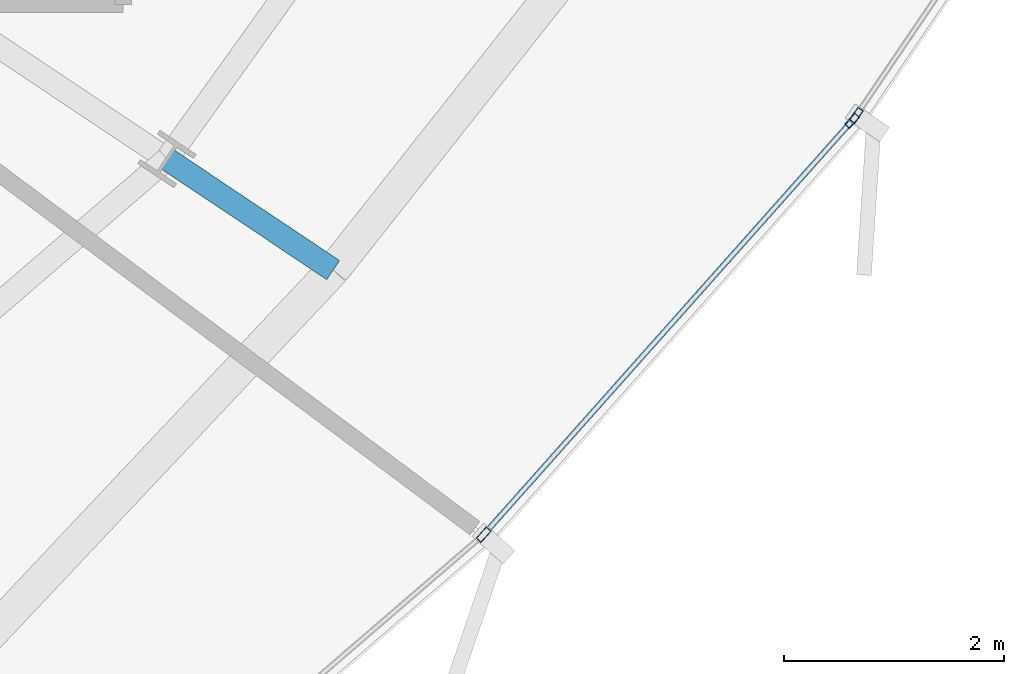
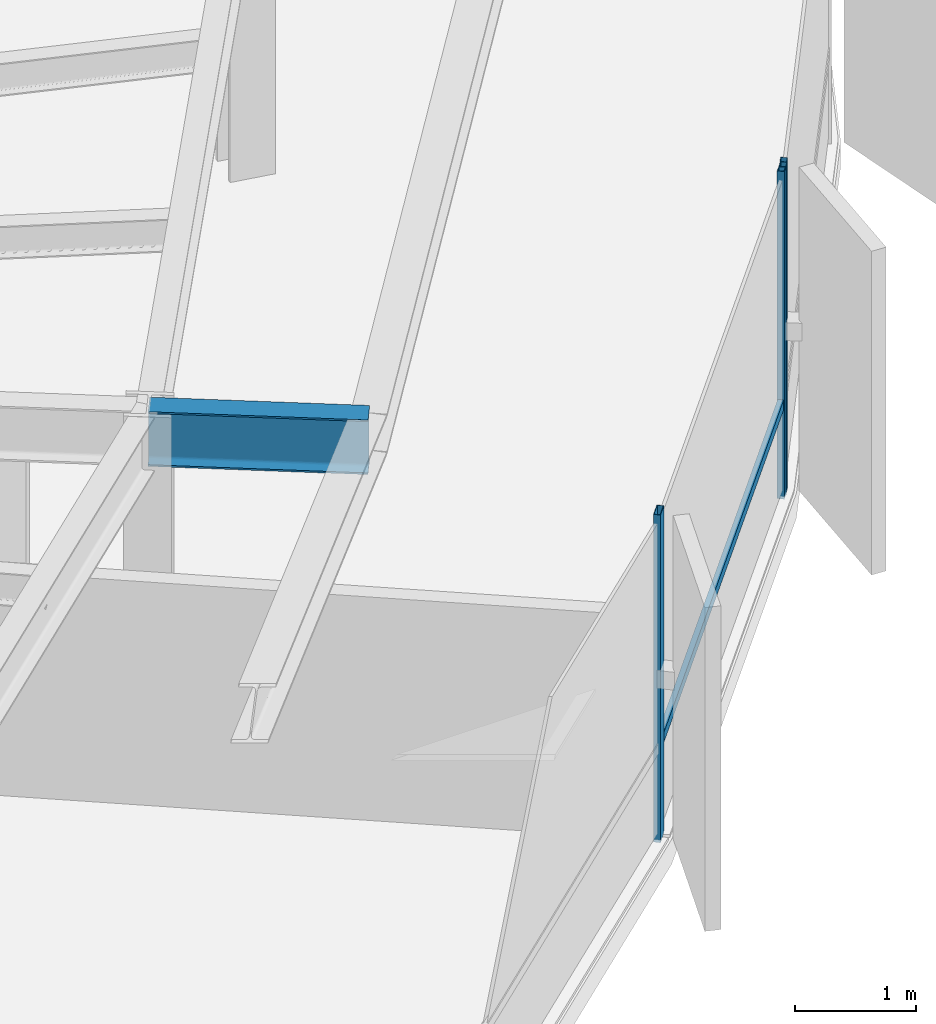
# One storey, part 14 of 36: 4 members, 1 beam, 2 elements without a shape of their own.
"""IFC4 building model written with IfcOpenShell, lengths in metres."""

import ifcopenshell
import ifcopenshell.guid

model = None  # the IFC model being written
_history = None  # IfcOwnerHistory: only IFC2X3 demands one
_inside = {}  # id of a spatial element -> (the spatial element, [elements in it])
_under = {}  # id of a project, library or spatial element -> (it, [spatial elements below it])
_declared = {}  # id of a project -> (the project, [libraries it declares])
_typed = {}  # id of a type object -> (the type object, [elements of that type])
_made_of = {}  # id of a material, layer set ... -> (it, [elements and type objects made of it])


def new_model(schema):
    """Start an empty IFC model of exactly this schema.

    Asked for "IFC4X3", IfcOpenShell would pick the latest addendum, in which some entities
    have other attributes; the version numbers below select the first issue.
    IFC2X3 requires an IfcOwnerHistory on every rooted entity: one is made here for all.
    """
    global model, _history
    if schema == "IFC4X3":
        model = ifcopenshell.file(schema_version=(4, 3, 0, 0))
    else:
        model = ifcopenshell.file(schema=schema)
    _inside.clear()
    _under.clear()
    _declared.clear()
    _typed.clear()
    _made_of.clear()
    _history = None
    if model.schema == "IFC2X3":
        org = make("IfcOrganization", Name="unknown")
        user = make(
            "IfcPersonAndOrganization",
            ThePerson=make("IfcPerson", FamilyName="unknown"),
            TheOrganization=org,
        )
        app = make(
            "IfcApplication",
            ApplicationDeveloper=org,
            Version="unknown",
            ApplicationFullName="unknown",
            ApplicationIdentifier="unknown",
        )
        _history = make(
            "IfcOwnerHistory",
            OwningUser=user,
            OwningApplication=app,
            ChangeAction="ADDED",
            CreationDate=0,
        )
    return model


def make(cls, **values):
    """One entity of the class cls with the attributes given. An attribute that is None is left unset."""
    return model.create_entity(
        cls, **{name: value for name, value in values.items() if value is not None}
    )


def rooted(cls, **values):
    """An entity with a GlobalId (a new one), such as an element, a storey or a relation."""
    return make(cls, GlobalId=ifcopenshell.guid.new(), OwnerHistory=_history, **values)


def si_unit(unit_type, name, prefix=None):
    """IfcSIUnit, for example si_unit("LENGTHUNIT", "METRE", prefix="MILLI")."""
    return make("IfcSIUnit", UnitType=unit_type, Prefix=prefix, Name=name)


def assignment(units):
    """IfcUnitAssignment: the units of a project."""
    return None if units is None else make("IfcUnitAssignment", Units=units)


def point(xyz):
    """IfcCartesianPoint."""
    return None if xyz is None else make("IfcCartesianPoint", Coordinates=xyz)


def direction(xyz):
    """IfcDirection."""
    return None if xyz is None else make("IfcDirection", DirectionRatios=xyz)


def frame(location, z_axis=None, x_axis=None):
    """IfcAxis2Placement3D, a coordinate frame: its origin and axes. An axis left out is left unset."""
    return make(
        "IfcAxis2Placement3D",
        Location=point(location),
        Axis=direction(z_axis),
        RefDirection=direction(x_axis),
    )


def frame_2d(location, x_axis=None):
    """IfcAxis2Placement2D, a coordinate frame in the plane: its origin and x axis."""
    return make(
        "IfcAxis2Placement2D", Location=point(location), RefDirection=direction(x_axis)
    )


def origin():
    """The frame at (0, 0, 0) with its axes left unset."""
    return frame((0.0, 0.0, 0.0))


def origin_2d():
    """The frame at (0, 0) in the plane with its x axis left unset."""
    return frame_2d((0.0, 0.0))


def place(relative_to, where):
    """IfcLocalPlacement: puts the frame where relative to a parent placement (None: the world)."""
    return make(
        "IfcLocalPlacement", PlacementRelTo=relative_to, RelativePlacement=where
    )


def context(
    kind, dimensions, precision=None, world=None, true_north=None, identifier=None
):
    """IfcGeometricRepresentationContext, for example the 3D "Model" context."""
    return make(
        "IfcGeometricRepresentationContext",
        ContextIdentifier=identifier,
        ContextType=kind,
        CoordinateSpaceDimension=dimensions,
        Precision=precision,
        WorldCoordinateSystem=world,
        TrueNorth=true_north,
    )


def subcontext(parent, identifier, kind, view, scale=None):
    """IfcGeometricRepresentationSubContext, for example "Body" below "Model"."""
    return make(
        "IfcGeometricRepresentationSubContext",
        ContextIdentifier=identifier,
        ContextType=kind,
        ParentContext=parent,
        TargetScale=scale,
        TargetView=view,
    )


def project(units=None, contexts=None):
    """IfcProject with its units and contexts."""
    return rooted(
        "IfcProject",
        Name="project",
        RepresentationContexts=contexts,
        UnitsInContext=assignment(units),
    )


def spatial(cls, under=None, at=None, **own):
    """A site, building, storey or space (cls), placed at a placement, below another one or the project."""
    s = rooted(cls, ObjectPlacement=at, **own)
    if under is not None:
        _under.setdefault(under.id(), (under, []))[1].append(s)
    return s


def profile(cls, at=None, kind="AREA", **sizes):
    """A parametric profile (cls). Its sizes go by their IFC names, for example OverallWidth=200.0."""
    return make(cls, ProfileType=kind, Position=at, **sizes)


def hollow_rectangle(**sizes):
    """IfcRectangleHollowProfileDef."""
    return profile("IfcRectangleHollowProfileDef", **sizes)


def i_section(**sizes):
    """IfcIShapeProfileDef."""
    return profile("IfcIShapeProfileDef", **sizes)


def extrude(swept, where, along, depth):
    """IfcExtrudedAreaSolid: the profile swept, set in the frame where, extruded along a direction by depth."""
    return make(
        "IfcExtrudedAreaSolid",
        SweptArea=swept,
        Position=where,
        ExtrudedDirection=direction(along),
        Depth=depth,
    )


def shape(context_of_items, identifier, shape_type, items):
    """IfcShapeRepresentation: the items that make up one representation, for example the "Body"."""
    return make(
        "IfcShapeRepresentation",
        ContextOfItems=context_of_items,
        RepresentationIdentifier=identifier,
        RepresentationType=shape_type,
        Items=items,
    )


def source(mapping_origin, context_of_items, identifier, shape_type, items):
    """IfcRepresentationMap: a shape defined once, which mapped items show again and again."""
    return make(
        "IfcRepresentationMap",
        MappingOrigin=mapping_origin,
        MappedRepresentation=shape(context_of_items, identifier, shape_type, items),
    )


def transform(
    local_origin,
    x_axis=None,
    y_axis=None,
    z_axis=None,
    scale=None,
    scale2=None,
    scale3=None,
    uniform=True,
):
    """IfcCartesianTransformationOperator3D, or its non-uniform kind. x_axis, y_axis, z_axis: its Axis1, 2, 3."""
    if uniform:
        return make(
            "IfcCartesianTransformationOperator3D",
            Axis1=direction(x_axis),
            Axis2=direction(y_axis),
            LocalOrigin=point(local_origin),
            Scale=scale,
            Axis3=direction(z_axis),
        )
    return make(
        "IfcCartesianTransformationOperator3DnonUniform",
        Axis1=direction(x_axis),
        Axis2=direction(y_axis),
        LocalOrigin=point(local_origin),
        Scale=scale,
        Axis3=direction(z_axis),
        Scale2=scale2,
        Scale3=scale3,
    )


def mapped(mapping_source, mapping_target):
    """IfcMappedItem: shows the shape of a source again, moved by a transform."""
    return make(
        "IfcMappedItem", MappingSource=mapping_source, MappingTarget=mapping_target
    )


def material(Name=None, Category=None):
    """IfcMaterial."""
    return make("IfcMaterial", Name=Name, Category=Category)


def layer(
    of_material, thickness, ventilated=None, Name=None, Category=None, Priority=None
):
    """IfcMaterialLayer: one layer of a wall or slab, of a material (None: an air gap)."""
    return make(
        "IfcMaterialLayer",
        Material=of_material,
        LayerThickness=thickness,
        IsVentilated=ventilated,
        Name=Name,
        Category=Category,
        Priority=Priority,
    )


def layer_set(layers, Name=None):
    """IfcMaterialLayerSet."""
    return make("IfcMaterialLayerSet", MaterialLayers=layers, LayerSetName=Name)


def material_profile(
    of_material, cross_section, Name=None, Category=None, Priority=None
):
    """IfcMaterialProfile: a cross section and its material."""
    return make(
        "IfcMaterialProfile",
        Name=Name,
        Material=of_material,
        Profile=cross_section,
        Priority=Priority,
        Category=Category,
    )


def profile_set(profiles, Name=None, composite=None):
    """IfcMaterialProfileSet."""
    return make(
        "IfcMaterialProfileSet",
        Name=Name,
        MaterialProfiles=profiles,
        CompositeProfile=composite,
    )


def made_of(thing, what):
    """Note that an element or type object is made of a material, layer set ...; save() writes the relation."""
    if what is not None:
        _made_of.setdefault(what.id(), (what, []))[1].append(thing)
    return thing


def type_object(cls, material=None, **own):
    """A type object (cls), such as IfcWallType, which elements share."""
    return made_of(rooted(cls, **own), material)


def element(
    cls,
    number,
    at=None,
    inside=None,
    cuts=None,
    type_object=None,
    material=None,
    context=None,
    identifier="Body",
    shape_type=None,
    held_by="IfcProductDefinitionShape",
    body=None,
    shapes=None,
    **own,
):
    """One element of the class cls, such as IfcWall. Its Tag is "e" and its number.

    at: its placement. inside: the storey or other place that contains it. cuts: it is an
    opening in that element (IfcRelVoidsElement). A single representation is given by context,
    identifier, shape_type and body (its items); several are given by shapes. held_by: the class
    of the entity that holds the representations. save() writes the other relations.
    """
    e = rooted(cls, Tag="e%d" % number, ObjectPlacement=at, **own)
    if body is not None:
        shapes = [shape(context, identifier, shape_type, body)]
    if shapes is not None:
        e.Representation = make(held_by, Representations=shapes)
    if inside is not None:
        _inside.setdefault(inside.id(), (inside, []))[1].append(e)
    if cuts is not None:
        rooted(
            "IfcRelVoidsElement", RelatingBuildingElement=cuts, RelatedOpeningElement=e
        )
    if type_object is not None:
        _typed.setdefault(type_object.id(), (type_object, []))[1].append(e)
    return made_of(e, material)


def aggregate(whole, parts):
    """IfcRelAggregates: a whole, such as a stair, and the parts it consists of."""
    return rooted("IfcRelAggregates", RelatingObject=whole, RelatedObjects=parts)


def save(model, path):
    """Write the relations noted so far, then the file.

    IfcRelAggregates (storeys below a building ...), IfcRelContainedInSpatialStructure (elements
    in a storey), IfcRelDefinesByType, IfcRelAssociatesMaterial and IfcRelDeclares: one each for
    every whole, place, type object, material and project.
    """
    for whole, parts in _under.values():
        aggregate(whole, parts)
    for where, things in _inside.values():
        rooted(
            "IfcRelContainedInSpatialStructure",
            RelatedElements=things,
            RelatingStructure=where,
        )
    for kind, things in _typed.values():
        rooted("IfcRelDefinesByType", RelatedObjects=things, RelatingType=kind)
    for what, things in _made_of.values():
        rooted("IfcRelAssociatesMaterial", RelatedObjects=things, RelatingMaterial=what)
    for by, libraries in _declared.values():
        rooted("IfcRelDeclares", RelatingContext=by, RelatedDefinitions=libraries)
    model.write(path)


model = new_model("IFC4")

# Units and contexts
model_context = context("Model", 3, precision=1e-05, world=origin(), true_north=direction((0.0, 1.0)))
body_context = subcontext(model_context, "Body", "Model", "MODEL_VIEW")
ifc_project = project(units=[si_unit("LENGTHUNIT", "METRE"), si_unit("AREAUNIT", "SQUARE_METRE"), si_unit("VOLUMEUNIT", "CUBIC_METRE"), si_unit("PLANEANGLEUNIT", "RADIAN"), si_unit("MASSUNIT", "GRAM", prefix="KILO"), si_unit("THERMODYNAMICTEMPERATUREUNIT", "KELVIN")], contexts=[model_context])

# Site, building, storey
site_placement = place(None, origin())
site = spatial("IfcSite", under=ifc_project, at=site_placement, CompositionType="ELEMENT")
building_placement = place(site_placement, origin())
building = spatial("IfcBuilding", under=site, at=building_placement, Name="Kethvar Cultural Tower", CompositionType="ELEMENT")
storey_placement = place(building_placement, frame((0.0, 0.0, 150.10009765625)))
storey = spatial("IfcBuildingStorey", under=building, at=storey_placement, Name="L38", CompositionType="ELEMENT", Elevation=150.10009765625)

# Beam
ifc_material_1 = material(Name="Steel S355J2", Category="steel")
ifc_material_profile_1 = material_profile(ifc_material_1, i_section(OverallWidth=0.2099609375, OverallDepth=0.550048828125, WebThickness=0.010986328125, FlangeThickness=0.01708984375, FilletRadius=0.02392578125, at=origin_2d()), Name="Steel S355J2 — IPE550")
ifc_profile_set_1 = profile_set([ifc_material_profile_1], Name="Steel S355J2 — IPE550")
beam_type = type_object("IfcBeamType", Name="BM-IPE550", PredefinedType="BEAM", material=ifc_profile_set_1)
shared_shape_1 = source(origin(), body_context, "Body", "SweptSolid", [
    extrude(i_section(OverallWidth=0.2099609375, OverallDepth=0.550048828125, WebThickness=0.010986328125, FlangeThickness=0.01708984375, FilletRadius=0.02392578125, at=origin_2d()), origin(), (0.0, 0.0, 1.0), 1.819580078125),
])
beam_placement = place(storey_placement, frame((62.898681640625, 17.043212890625, 3.02294921875), z_axis=(0.831451205439, -0.555597779849, 0.0), x_axis=(0.555597779849, 0.831451205439, 0.0)))
element("IfcBeam", 1, at=beam_placement, inside=storey, type_object=beam_type, Name="L38 Perimeter Cantilever Beam RC-15", PredefinedType="BEAM", context=body_context, shape_type="MappedRepresentation", body=[
    mapped(shared_shape_1, transform((0.0, 0.0, 0.0), scale=1.0)),
])

# Curtain wall, members
ifc_material_2 = material(Name="Aluminium 6063-T6", Category="aluminium")
ifc_layer = layer(ifc_material_2, 0.179931640625, Name="Aluminium 6063-T6", Category="aluminium")
ifc_layer_set = layer_set([ifc_layer], Name="Aluminium 6063-T6 (180 mm)")
curtain_wall_type = type_object("IfcCurtainWallType", Name="CW-SYS-04-Z34", PredefinedType="NOTDEFINED", material=ifc_layer_set)
curtain_wall_1_placement = place(storey_placement, origin())
curtain_wall_1 = element("IfcCurtainWall", 2, at=curtain_wall_1_placement, inside=storey, type_object=curtain_wall_type, Name="L38 Curtain Wall Run 05", PredefinedType="NOTDEFINED")
ifc_material_profile_2 = material_profile(ifc_material_2, hollow_rectangle(XDim=0.06005859375, YDim=0.139892578125, WallThickness=0.0048828125, at=origin_2d()), Name="Aluminium 6063-T6 — RHS140x60x5")
ifc_profile_set_2 = profile_set([ifc_material_profile_2], Name="Aluminium 6063-T6 — RHS140x60x5")
member_type_1 = type_object("IfcMemberType", Name="CW-SYS-04-Z34-MUL", PredefinedType="MULLION", material=ifc_profile_set_2)
shared_shape_2 = source(origin(), body_context, "Body", "SweptSolid", [
    extrude(hollow_rectangle(XDim=0.06005859375, YDim=0.139892578125, WallThickness=0.0048828125, at=origin_2d()), origin(), (0.0, 0.0, 1.0), 3.2998046875),
])
member_1_placement = place(storey_placement, frame((65.781005859375, 13.62353515625, 0.0), z_axis=(0.0, 0.0, 1.0), x_axis=(-0.746916767814, 0.664917545233, 0.0)))
member_1 = element("IfcMember", 3, at=member_1_placement, type_object=member_type_1, Name="CW-L38-R05 Mullion 6", PredefinedType="MULLION", context=body_context, shape_type="MappedRepresentation", body=[
    mapped(shared_shape_2, transform((0.0, 0.0, 0.0), scale=1.0)),
])
member_2_placement = place(storey_placement, frame((69.13525390625, 17.39111328125, 0.0), z_axis=(0.0, 0.0, 1.0), x_axis=(-0.746916767814, 0.664917545233, 0.0)))
member_2 = element("IfcMember", 4, at=member_2_placement, type_object=member_type_1, Name="CW-L38-R05 Mullion 7", PredefinedType="MULLION", context=body_context, shape_type="MappedRepresentation", body=[
    mapped(shared_shape_2, transform((0.0, 0.0, 0.0), scale=1.0)),
])

# Curtain wall, member
curtain_wall_2_placement = place(storey_placement, origin())
curtain_wall_2 = element("IfcCurtainWall", 5, at=curtain_wall_2_placement, inside=storey, type_object=curtain_wall_type, Name="L38 Curtain Wall Run 06", PredefinedType="NOTDEFINED")
member_3_placement = place(storey_placement, frame((69.174072265625, 17.441162109375, 0.0), z_axis=(0.0, 0.0, 1.0), x_axis=(-0.827786255856, 0.56104359422, 0.0)))
member_3 = element("IfcMember", 6, at=member_3_placement, type_object=member_type_1, Name="CW-L38-R06 Mullion 1", PredefinedType="MULLION", context=body_context, shape_type="MappedRepresentation", body=[
    mapped(shared_shape_2, transform((0.0, 0.0, 0.0), scale=1.0)),
])
aggregate(curtain_wall_2, [member_3])

# Member
ifc_material_profile_3 = material_profile(ifc_material_2, hollow_rectangle(XDim=0.050048828125, YDim=0.10009765625, WallThickness=0.00390625, at=origin_2d()), Name="Aluminium 6063-T6 — RHS100x50x4")
ifc_profile_set_3 = profile_set([ifc_material_profile_3], Name="Aluminium 6063-T6 — RHS100x50x4")
member_type_2 = type_object("IfcMemberType", Name="CW-SYS-04-Z34-TRN", PredefinedType="USERDEFINED", material=ifc_profile_set_3)
shared_shape_3 = source(origin(), body_context, "Body", "SweptSolid", [
    extrude(hollow_rectangle(XDim=0.050048828125, YDim=0.10009765625, WallThickness=0.00390625, at=origin_2d()), origin(), (0.0, 0.0, 1.0), 4.9970703125),
])
member_4_placement = place(storey_placement, frame((65.809814453125, 13.65576171875, 0.949951171875), z_axis=(0.664900425067, 0.746932008114, 0.0), x_axis=(-0.746932008114, 0.664900425067, 0.0)))
member_4 = element("IfcMember", 7, at=member_4_placement, type_object=member_type_2, Name="CW-L38-R05 Transom 6", ObjectType="TRANSOM", PredefinedType="USERDEFINED", context=body_context, shape_type="MappedRepresentation", body=[
    mapped(shared_shape_3, transform((0.0, 0.0, 0.0), scale=1.0)),
])

aggregate(curtain_wall_1, [member_1, member_2, member_4])

save(model, "model.ifc")
